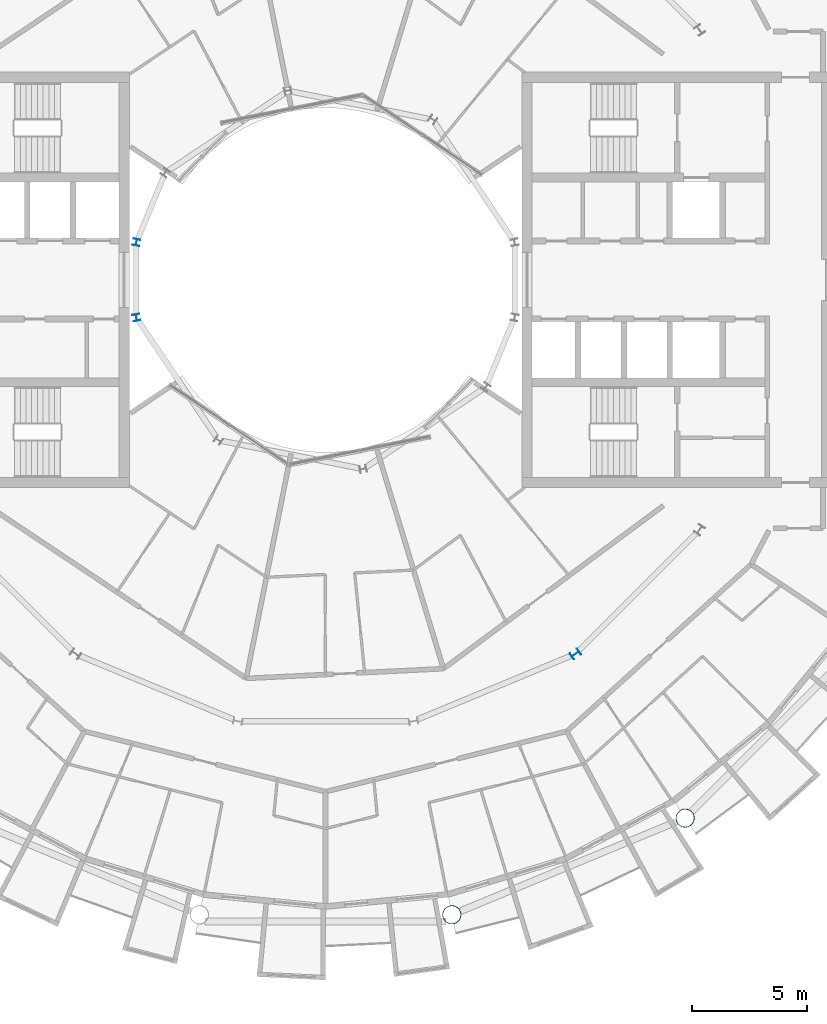
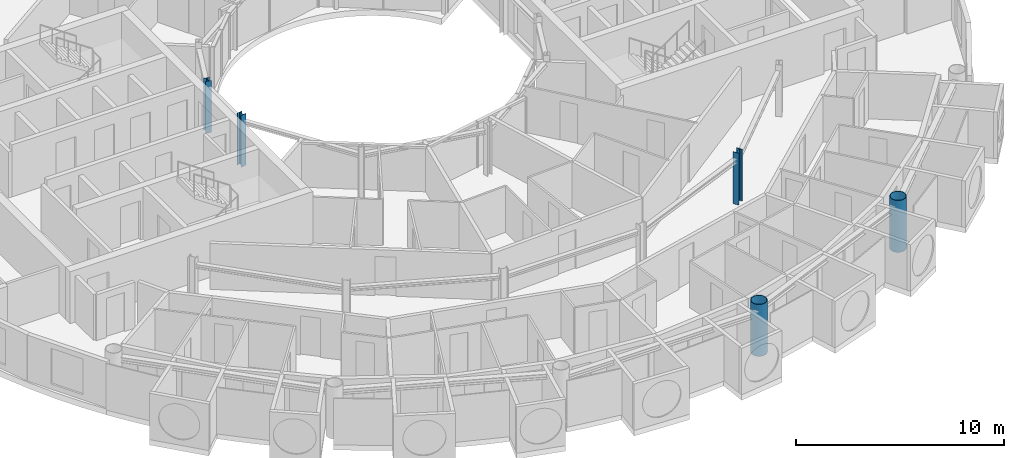
# One storey, part 2 of 29: 5 columns.
"""IFC4 building model written with IfcOpenShell, lengths in metres."""

from ifc_helpers import new_model, si_unit, direction, frame, origin, origin_2d, place, context, subcontext, project, spatial, hollow_circle, i_section, extrude, material, material_profile, profile_set, type_object, element, save


model = new_model("IFC4")

# Units and contexts
model_context = context("Model", 3, precision=1e-05, world=origin(), true_north=direction((0.0, 1.0)))
body_context = subcontext(model_context, "Body", "Model", "MODEL_VIEW")
ifc_project = project(units=[si_unit("LENGTHUNIT", "METRE"), si_unit("AREAUNIT", "SQUARE_METRE"), si_unit("VOLUMEUNIT", "CUBIC_METRE"), si_unit("PLANEANGLEUNIT", "RADIAN"), si_unit("MASSUNIT", "GRAM", prefix="KILO")], contexts=[model_context])

# Site, building, storey
site_placement = place(None, origin())
site = spatial("IfcSite", under=ifc_project, at=site_placement, CompositionType="ELEMENT")
building_placement = place(site_placement, origin())
building = spatial("IfcBuilding", under=site, at=building_placement, Name="Maasbend Ring Residences", CompositionType="ELEMENT")
storey_placement = place(building_placement, frame((0.0, 0.0, 193.25)))
storey = spatial("IfcBuildingStorey", under=building, at=storey_placement, Name="L55", CompositionType="ELEMENT", Elevation=193.25)

# Columns
ifc_material_1 = material(Name="Composite concrete-filled steel tube S460NH / C80/95", Category="concrete")
ifc_material_profile_1 = material_profile(ifc_material_1, hollow_circle(Radius=0.406494140625, WallThickness=0.030029296875, at=origin_2d()), Name="Composite tube column CHS 813x30")
ifc_profile_set_1 = profile_set([ifc_material_profile_1], Name="Composite concrete-filled steel tube S460NH / C80/95")
column_type_1 = type_object("IfcColumnType", Name="Composite tube column CHS 813x30", PredefinedType="COLUMN", material=ifc_profile_set_1)
for number, where, z_axis, x_axis, name in (
    (1, (5.50146484375, -27.658203125, 0.0), (0.0, 0.0, 1.0), (1.0, 0.0, 0.0), "Outer column R13"),
    (2, (15.6669921875, -23.447509765625, 0.0), (0.0, 0.0, 1.0), (1.0, 0.0, 0.0), "Outer column R14"),
):
    element("IfcColumn", number, at=place(storey_placement, frame(where, z_axis=z_axis, x_axis=x_axis)), inside=storey, type_object=column_type_1, Name=name, PredefinedType="COLUMN", context=body_context, shape_type="SweptSolid", body=[
        extrude(hollow_circle(Radius=0.406494140625, WallThickness=0.030029296875, at=origin_2d()), origin(), (0.0, 0.0, 1.0), 3.050048828125),
    ])
ifc_material_2 = material(Name="Steel S355J2", Category="steel")
ifc_material_profile_2 = material_profile(ifc_material_2, i_section(OverallWidth=0.300048828125, OverallDepth=0.2900390625, WebThickness=0.008544921875, FlangeThickness=0.013916015625, FilletRadius=0.027099609375, at=origin_2d()), Name="HEA 300")
ifc_profile_set_2 = profile_set([ifc_material_profile_2], Name="Steel S355J2")
column_type_2 = type_object("IfcColumnType", Name="Steel column HEA 300", PredefinedType="COLUMN", material=ifc_profile_set_2)
for number, where, z_axis, x_axis, name in (
    (3, (-8.238525390625, 1.638916015625, 0.0), (0.0, 0.0, 1.0), (-0.980785280403, 0.195090322016, 0.0), "Well ring column R8"),
    (4, (-8.238525390625, -1.638916015625, 0.0), (0.0, 0.0, 1.0), (-0.980785280403, -0.195090322016, 0.0), "Well ring column R9"),
):
    element("IfcColumn", number, at=place(storey_placement, frame(where, z_axis=z_axis, x_axis=x_axis)), inside=storey, type_object=column_type_2, Name=name, PredefinedType="COLUMN", context=body_context, shape_type="SweptSolid", body=[
        extrude(i_section(OverallWidth=0.300048828125, OverallDepth=0.2900390625, WebThickness=0.008544921875, FlangeThickness=0.013916015625, FilletRadius=0.027099609375, at=origin_2d()), origin(), (0.0, 0.0, 1.0), 3.050048828125),
    ])
ifc_material_3 = material(Name="Steel S355J2", Category="steel")
ifc_material_profile_3 = material_profile(ifc_material_3, i_section(OverallWidth=0.300048828125, OverallDepth=0.39990234375, WebThickness=0.013427734375, FlangeThickness=0.02392578125, FilletRadius=0.027099609375, at=origin_2d()), Name="HEB 400")
ifc_profile_set_3 = profile_set([ifc_material_profile_3], Name="Steel S355J2")
column_type_3 = type_object("IfcColumnType", Name="Steel column HEB 400", PredefinedType="COLUMN", material=ifc_profile_set_3)
column_placement = place(storey_placement, frame((10.88916015625, -16.296875, 0.0), z_axis=(0.0, 0.0, 1.0), x_axis=(0.55557023302, -0.831469612303, 0.0)))
element("IfcColumn", 5, at=column_placement, inside=storey, type_object=column_type_3, Name="Corridor ring column R14", PredefinedType="COLUMN", context=body_context, shape_type="SweptSolid", body=[
    extrude(i_section(OverallWidth=0.300048828125, OverallDepth=0.39990234375, WebThickness=0.013427734375, FlangeThickness=0.02392578125, FilletRadius=0.027099609375, at=origin_2d()), origin(), (0.0, 0.0, 1.0), 3.050048828125),
])

save(model, "model.ifc")
